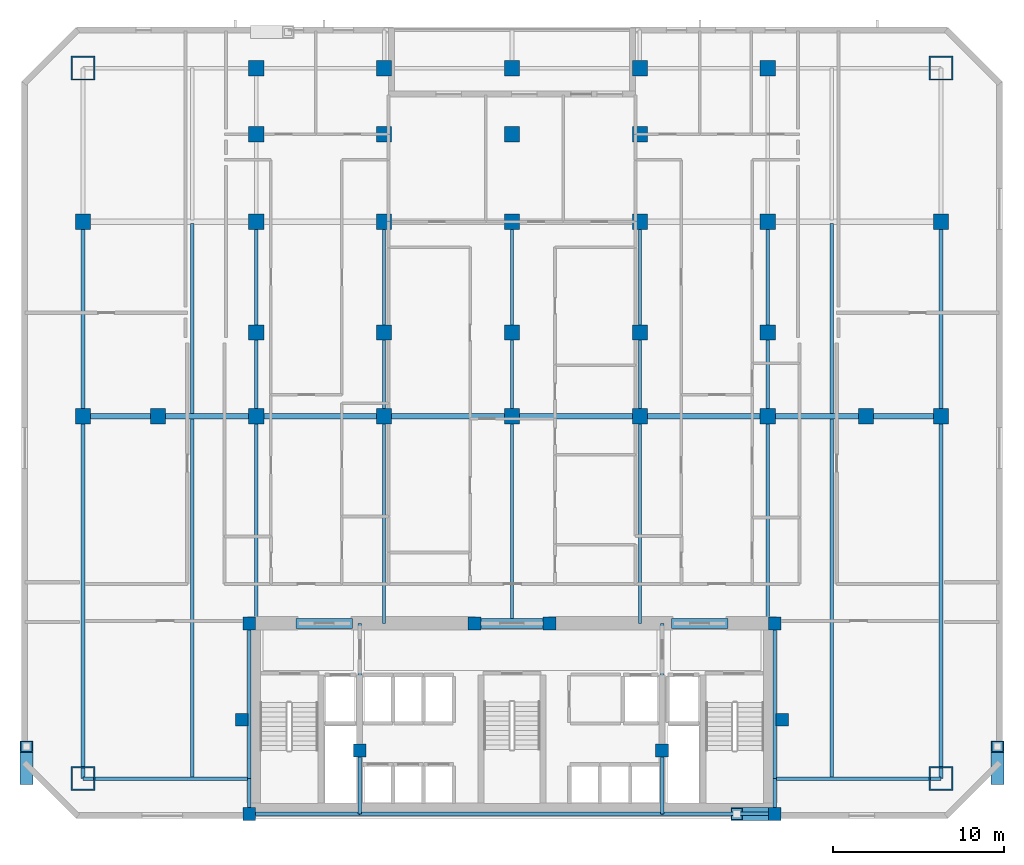
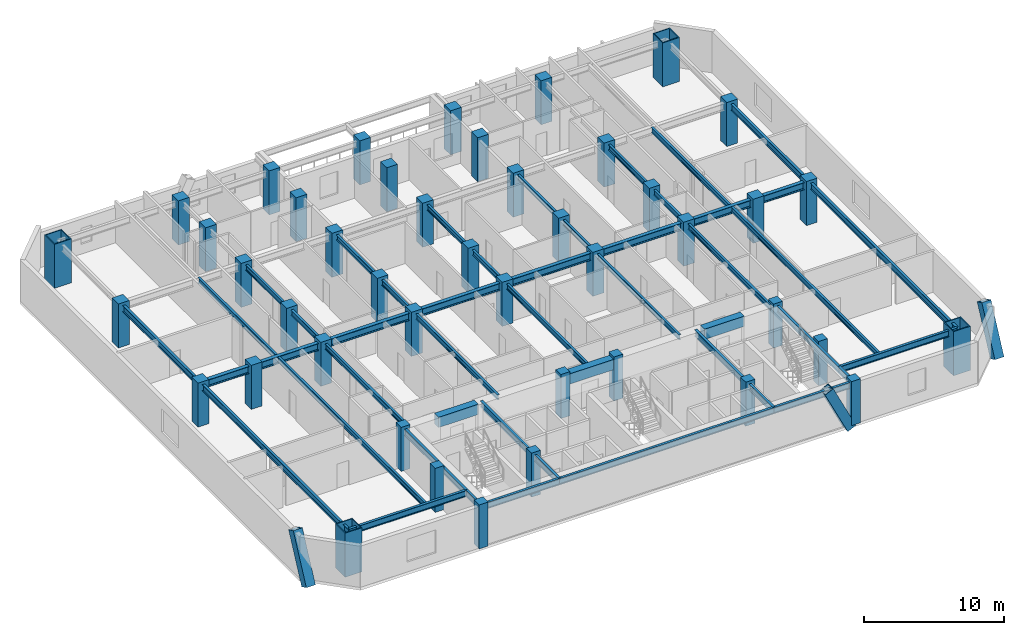
# One storey, part 1 of 10: 44 columns, 42 beams, 3 members.
"""IFC4 building model written with IfcOpenShell, lengths in metres."""

from ifc_helpers import new_model, si_unit, direction, frame, origin, origin_2d, place, context, subcontext, project, spatial, rectangle, hollow_rectangle, i_section, extrude, material, material_profile, profile_set, type_object, element, save


model = new_model("IFC4")

# Units and contexts
model_context = context("Model", 3, precision=1e-05, world=origin(), true_north=direction((0.0, 1.0)))
body_context = subcontext(model_context, "Body", "Model", "MODEL_VIEW")
ifc_project = project(units=[si_unit("LENGTHUNIT", "METRE"), si_unit("AREAUNIT", "SQUARE_METRE"), si_unit("VOLUMEUNIT", "CUBIC_METRE"), si_unit("PLANEANGLEUNIT", "RADIAN"), si_unit("MASSUNIT", "GRAM", prefix="KILO")], contexts=[model_context])

# Site, building, storey
site_placement = place(None, origin())
site = spatial("IfcSite", under=ifc_project, at=site_placement, CompositionType="ELEMENT")
building_placement = place(site_placement, origin())
building = spatial("IfcBuilding", under=site, at=building_placement, Name="Ventersveld Concourse Tower", CompositionType="ELEMENT")
storey_placement = place(building_placement, frame((0.0, 0.0, 60.60009765625)))
storey = spatial("IfcBuildingStorey", under=building, at=storey_placement, Name="L14", CompositionType="ELEMENT", Elevation=60.60009765625)

# Columns
ifc_material_1 = material(Name="Concrete C50/60", Category="concrete")
ifc_material_profile_1 = material_profile(ifc_material_1, rectangle(XDim=0.75, YDim=0.75, at=origin_2d()), Name="RC 750x750")
ifc_profile_set_1 = profile_set([ifc_material_profile_1], Name="Concrete C50/60")
column_type_1 = type_object("IfcColumnType", Name="COL-RC750", PredefinedType="COLUMN", material=ifc_profile_set_1)
for number, where, z_axis, x_axis, name in (
    (1, (13.35009765625, 0.280029296875, 0.0), (0.0, 0.0, 1.0), (1.0, 0.0, 0.0), "L14 Core Spine Column CC-SW"),
    (2, (44.14990234375, 0.280029296875, 0.0), (0.0, 0.0, 1.0), (1.0, 0.0, 0.0), "L14 Core Spine Column CC-SE"),
    (3, (13.35009765625, 11.449951171875, 0.0), (0.0, 0.0, 1.0), (1.0, 0.0, 0.0), "L14 Core Spine Column CC-NW"),
    (4, (44.14990234375, 11.449951171875, 0.0), (0.0, 0.0, 1.0), (1.0, 0.0, 0.0), "L14 Core Spine Column CC-NE"),
    (5, (19.820068359375, 4.0, 0.0), (0.0, 0.0, 1.0), (1.0, 0.0, 0.0), "L14 Core Spine Column CM-1"),
    (6, (37.550048828125, 4.0, 0.0), (0.0, 0.0, 1.0), (1.0, 0.0, 0.0), "L14 Core Spine Column CM-2"),
    (7, (26.550048828125, 11.449951171875, 0.0), (0.0, 0.0, 1.0), (1.0, 0.0, 0.0), "L14 Core Spine Column CM-3"),
    (8, (30.949951171875, 11.449951171875, 0.0), (0.0, 0.0, 1.0), (1.0, 0.0, 0.0), "L14 Core Spine Column CM-4"),
):
    element("IfcColumn", number, at=place(storey_placement, frame(where, z_axis=z_axis, x_axis=x_axis)), inside=storey, type_object=column_type_1, Name=name, PredefinedType="COLUMN", context=body_context, shape_type="SweptSolid", body=[
        extrude(rectangle(XDim=0.75, YDim=0.75, at=origin_2d()), origin(), (0.0, 0.0, 1.0), 3.849853515625),
    ])
ifc_material_2 = material(Name="Concrete C60/75", Category="concrete")
ifc_material_profile_2 = material_profile(ifc_material_2, rectangle(XDim=0.89990234375, YDim=0.89990234375, at=origin_2d()), Name="RC 900x900")
ifc_profile_set_2 = profile_set([ifc_material_profile_2], Name="Concrete C60/75")
column_type_2 = type_object("IfcColumnType", Name="COL-RC900", PredefinedType="COLUMN", material=ifc_profile_set_2)
for number, where, z_axis, x_axis, name in (
    (9, (3.60009765625, 23.60009765625, 0.0), (0.0, 0.0, 1.0), (1.0, 0.0, 0.0), "L14 Interior Gravity Column X=3.60 Y=23.60"),
    (10, (8.0, 23.60009765625, 0.0), (0.0, 0.0, 1.0), (1.0, 0.0, 0.0), "L14 Interior Gravity Column X=8.00 Y=23.60"),
    (11, (13.75, 23.60009765625, 0.0), (0.0, 0.0, 1.0), (1.0, 0.0, 0.0), "L14 Interior Gravity Column X=13.75 Y=23.60"),
    (12, (21.25, 23.60009765625, 0.0), (0.0, 0.0, 1.0), (1.0, 0.0, 0.0), "L14 Interior Gravity Column X=21.25 Y=23.60"),
    (13, (28.75, 23.60009765625, 0.0), (0.0, 0.0, 1.0), (1.0, 0.0, 0.0), "L14 Interior Gravity Column X=28.75 Y=23.60"),
    (14, (36.25, 23.60009765625, 0.0), (0.0, 0.0, 1.0), (1.0, 0.0, 0.0), "L14 Interior Gravity Column X=36.25 Y=23.60"),
    (15, (43.75, 23.60009765625, 0.0), (0.0, 0.0, 1.0), (1.0, 0.0, 0.0), "L14 Interior Gravity Column X=43.75 Y=23.60"),
    (16, (49.5, 23.60009765625, 0.0), (0.0, 0.0, 1.0), (1.0, 0.0, 0.0), "L14 Interior Gravity Column X=49.50 Y=23.60"),
    (17, (53.89990234375, 23.60009765625, 0.0), (0.0, 0.0, 1.0), (1.0, 0.0, 0.0), "L14 Interior Gravity Column X=53.90 Y=23.60"),
    (18, (13.75, 28.5, 0.0), (0.0, 0.0, 1.0), (1.0, 0.0, 0.0), "L14 Upper-North Gravity Column X=13.75 Y=28.50"),
    (19, (21.25, 28.5, 0.0), (0.0, 0.0, 1.0), (1.0, 0.0, 0.0), "L14 Upper-North Gravity Column X=21.25 Y=28.50"),
    (20, (28.75, 28.5, 0.0), (0.0, 0.0, 1.0), (1.0, 0.0, 0.0), "L14 Upper-North Gravity Column X=28.75 Y=28.50"),
    (21, (36.25, 28.5, 0.0), (0.0, 0.0, 1.0), (1.0, 0.0, 0.0), "L14 Upper-North Gravity Column X=36.25 Y=28.50"),
    (22, (43.75, 28.5, 0.0), (0.0, 0.0, 1.0), (1.0, 0.0, 0.0), "L14 Upper-North Gravity Column X=43.75 Y=28.50"),
    (23, (3.60009765625, 35.0, 0.0), (0.0, 0.0, 1.0), (1.0, 0.0, 0.0), "L14 Flank Column X=3.60 Y=35.00"),
    (24, (53.89990234375, 35.0, 0.0), (0.0, 0.0, 1.0), (1.0, 0.0, 0.0), "L14 Flank Column X=53.90 Y=35.00"),
    (25, (13.75, 44.0, 0.0), (0.0, 0.0, 1.0), (1.0, 0.0, 0.0), "L14 North Perimeter Column X=13.75 Y=44.00"),
    (26, (21.25, 44.0, 0.0), (0.0, 0.0, 1.0), (1.0, 0.0, 0.0), "L14 North Perimeter Column X=21.25 Y=44.00"),
    (27, (28.75, 44.0, 0.0), (0.0, 0.0, 1.0), (1.0, 0.0, 0.0), "L14 North Perimeter Column X=28.75 Y=44.00"),
    (28, (36.25, 44.0, 0.0), (0.0, 0.0, 1.0), (1.0, 0.0, 0.0), "L14 North Perimeter Column X=36.25 Y=44.00"),
    (29, (43.75, 44.0, 0.0), (0.0, 0.0, 1.0), (1.0, 0.0, 0.0), "L14 North Perimeter Column X=43.75 Y=44.00"),
    (30, (13.75, 40.1201171875, 0.0), (0.0, 0.0, 1.0), (1.0, 0.0, 0.0), "L14 North Brace Node Column X=13.75 Y=40.12"),
    (31, (21.25, 40.1201171875, 0.0), (0.0, 0.0, 1.0), (1.0, 0.0, 0.0), "L14 North Brace Node Column X=21.25 Y=40.12"),
    (32, (28.75, 40.1201171875, 0.0), (0.0, 0.0, 1.0), (1.0, 0.0, 0.0), "L14 North Brace Node Column X=28.75 Y=40.12"),
    (33, (36.25, 40.1201171875, 0.0), (0.0, 0.0, 1.0), (1.0, 0.0, 0.0), "L14 North Brace Node Column X=36.25 Y=40.12"),
    (34, (13.75, 35.0, 0.0), (0.0, 0.0, 1.0), (1.0, 0.0, 0.0), "L14 Mid-North Column X=13.75 Y=35.00"),
    (35, (21.25, 35.0, 0.0), (0.0, 0.0, 1.0), (1.0, 0.0, 0.0), "L14 Mid-North Column X=21.25 Y=35.00"),
    (36, (28.75, 35.0, 0.0), (0.0, 0.0, 1.0), (1.0, 0.0, 0.0), "L14 Mid-North Column X=28.75 Y=35.00"),
    (37, (36.25, 35.0, 0.0), (0.0, 0.0, 1.0), (1.0, 0.0, 0.0), "L14 Mid-North Column X=36.25 Y=35.00"),
    (38, (43.75, 35.0, 0.0), (0.0, 0.0, 1.0), (1.0, 0.0, 0.0), "L14 Mid-North Column X=43.75 Y=35.00"),
):
    element("IfcColumn", number, at=place(storey_placement, frame(where, z_axis=z_axis, x_axis=x_axis)), inside=storey, type_object=column_type_2, Name=name, PredefinedType="COLUMN", context=body_context, shape_type="SweptSolid", body=[
        extrude(rectangle(XDim=0.89990234375, YDim=0.89990234375, at=origin_2d()), origin(), (0.0, 0.0, 1.0), 3.849853515625),
    ])
ifc_material_3 = material(Name="Structural steel S460ML", Category="steel")
ifc_material_profile_3 = material_profile(ifc_material_3, hollow_rectangle(XDim=1.39990234375, YDim=1.39990234375, WallThickness=0.080078125, at=origin_2d()), Name="BOX 1400x1400x80")
ifc_profile_set_3 = profile_set([ifc_material_profile_3], Name="Structural steel S460ML")
column_type_3 = type_object("IfcColumnType", Name="MC-1400", PredefinedType="USERDEFINED", material=ifc_profile_set_3)
for number, where, z_axis, x_axis, name in (
    (39, (3.60009765625, 2.35009765625, 0.0), (0.0, 0.0, 1.0), (1.0, 0.0, 0.0), "L14 Corner Mega-Column MC-SW"),
    (40, (53.89990234375, 2.35009765625, 0.0), (0.0, 0.0, 1.0), (1.0, 0.0, 0.0), "L14 Corner Mega-Column MC-SE"),
    (41, (53.89990234375, 44.0, 0.0), (0.0, 0.0, 1.0), (1.0, 0.0, 0.0), "L14 Corner Mega-Column MC-NE"),
    (42, (3.60009765625, 44.0, 0.0), (0.0, 0.0, 1.0), (1.0, 0.0, 0.0), "L14 Corner Mega-Column MC-NW"),
):
    element("IfcColumn", number, at=place(storey_placement, frame(where, z_axis=z_axis, x_axis=x_axis)), inside=storey, type_object=column_type_3, Name=name, ObjectType="MEGA_COLUMN", PredefinedType="USERDEFINED", context=body_context, shape_type="SweptSolid", body=[
        extrude(hollow_rectangle(XDim=1.39990234375, YDim=1.39990234375, WallThickness=0.080078125, at=origin_2d()), origin(), (0.0, 0.0, 1.0), 3.849853515625),
    ])
ifc_material_profile_4 = material_profile(ifc_material_1, rectangle(XDim=0.75, YDim=0.75, at=origin_2d()), Name="RC 750x750")
ifc_profile_set_4 = profile_set([ifc_material_profile_4], Name="Concrete C50/60")
column_type_4 = type_object("IfcColumnType", Name="PIL-RC750", PredefinedType="PILASTER", material=ifc_profile_set_4)
for number, where, z_axis, x_axis, name in (
    (43, (12.89990234375, 5.800048828125, 0.0), (0.0, 0.0, 1.0), (1.0, 0.0, 0.0), "L14 Core Engaged Pilaster PIL-W"),
    (44, (44.60009765625, 5.800048828125, 0.0), (0.0, 0.0, 1.0), (1.0, 0.0, 0.0), "L14 Core Engaged Pilaster PIL-E"),
):
    element("IfcColumn", number, at=place(storey_placement, frame(where, z_axis=z_axis, x_axis=x_axis)), inside=storey, type_object=column_type_4, Name=name, PredefinedType="PILASTER", context=body_context, shape_type="SweptSolid", body=[
        extrude(rectangle(XDim=0.75, YDim=0.75, at=origin_2d()), origin(), (0.0, 0.0, 1.0), 3.849853515625),
    ])

# Beams
ifc_material_4 = material(Name="Structural steel S355J2", Category="steel")
ifc_material_profile_5 = material_profile(ifc_material_4, i_section(OverallWidth=0.19140625, OverallDepth=0.4599609375, WebThickness=0.010009765625, FlangeThickness=0.01611328125, FilletRadius=0.01025390625, at=origin_2d()), Name="UB 457x191x82")
ifc_profile_set_5 = profile_set([ifc_material_profile_5], Name="Structural steel S355J2")
beam_type_1 = type_object("IfcBeamType", Name="BM-UB457H", PredefinedType="BEAM", material=ifc_profile_set_5)
beam_1_placement = place(storey_placement, frame((10.0, 2.35009765625, 3.369873046875), z_axis=(0.0, 1.0, 0.0), x_axis=(-1.0, 0.0, 0.0)))
element("IfcBeam", 45, at=beam_1_placement, inside=storey, type_object=beam_type_1, Name="L14 N-S Composite Floor Beam South X=10.00", PredefinedType="BEAM", context=body_context, shape_type="SweptSolid", body=[
    extrude(i_section(OverallWidth=0.19140625, OverallDepth=0.4599609375, WebThickness=0.010009765625, FlangeThickness=0.01611328125, FilletRadius=0.01025390625, at=origin_2d()), origin(), (0.0, 0.0, 1.0), 21.15478515625),
])
beam_2_placement = place(storey_placement, frame((10.0, 23.695068359375, 3.369873046875), z_axis=(0.0, 1.0, 0.0), x_axis=(-1.0, 0.0, 0.0)))
element("IfcBeam", 46, at=beam_2_placement, inside=storey, type_object=beam_type_1, Name="L14 N-S Composite Floor Beam Mid X=10.00", PredefinedType="BEAM", context=body_context, shape_type="SweptSolid", body=[
    extrude(i_section(OverallWidth=0.19140625, OverallDepth=0.4599609375, WebThickness=0.010009765625, FlangeThickness=0.01611328125, FilletRadius=0.01025390625, at=origin_2d()), origin(), (0.0, 0.0, 1.0), 11.2099609375),
])
beam_3_placement = place(storey_placement, frame((13.75, 11.449951171875, 3.369873046875), z_axis=(0.0, 1.0, 0.0), x_axis=(-1.0, 0.0, 0.0)))
element("IfcBeam", 47, at=beam_3_placement, inside=storey, type_object=beam_type_1, Name="L14 N-S Composite Floor Beam South X=13.75", PredefinedType="BEAM", context=body_context, shape_type="SweptSolid", body=[
    extrude(i_section(OverallWidth=0.19140625, OverallDepth=0.4599609375, WebThickness=0.010009765625, FlangeThickness=0.01611328125, FilletRadius=0.01025390625, at=origin_2d()), origin(), (0.0, 0.0, 1.0), 12.150146484375),
])
beam_4_placement = place(storey_placement, frame((13.75, 23.60009765625, 3.369873046875), z_axis=(0.0, 1.0, 0.0), x_axis=(-1.0, 0.0, 0.0)))
element("IfcBeam", 48, at=beam_4_placement, inside=storey, type_object=beam_type_1, Name="L14 N-S Composite Floor Beam Mid X=13.75", PredefinedType="BEAM", context=body_context, shape_type="SweptSolid", body=[
    extrude(i_section(OverallWidth=0.19140625, OverallDepth=0.4599609375, WebThickness=0.010009765625, FlangeThickness=0.01611328125, FilletRadius=0.01025390625, at=origin_2d()), origin(), (0.0, 0.0, 1.0), 11.39990234375),
])
beam_5_placement = place(storey_placement, frame((21.25, 11.449951171875, 3.369873046875), z_axis=(0.0, 1.0, 0.0), x_axis=(-1.0, 0.0, 0.0)))
element("IfcBeam", 49, at=beam_5_placement, inside=storey, type_object=beam_type_1, Name="L14 N-S Composite Floor Beam South X=21.25", PredefinedType="BEAM", context=body_context, shape_type="SweptSolid", body=[
    extrude(i_section(OverallWidth=0.19140625, OverallDepth=0.4599609375, WebThickness=0.010009765625, FlangeThickness=0.01611328125, FilletRadius=0.01025390625, at=origin_2d()), origin(), (0.0, 0.0, 1.0), 12.150146484375),
])
beam_6_placement = place(storey_placement, frame((21.25, 23.60009765625, 3.369873046875), z_axis=(0.0, 1.0, 0.0), x_axis=(-1.0, 0.0, 0.0)))
element("IfcBeam", 50, at=beam_6_placement, inside=storey, type_object=beam_type_1, Name="L14 N-S Composite Floor Beam Mid X=21.25", PredefinedType="BEAM", context=body_context, shape_type="SweptSolid", body=[
    extrude(i_section(OverallWidth=0.19140625, OverallDepth=0.4599609375, WebThickness=0.010009765625, FlangeThickness=0.01611328125, FilletRadius=0.01025390625, at=origin_2d()), origin(), (0.0, 0.0, 1.0), 11.39990234375),
])
beam_7_placement = place(storey_placement, frame((28.75, 11.449951171875, 3.369873046875), z_axis=(0.0, 1.0, 0.0), x_axis=(-1.0, 0.0, 0.0)))
element("IfcBeam", 51, at=beam_7_placement, inside=storey, type_object=beam_type_1, Name="L14 N-S Composite Floor Beam South X=28.75", PredefinedType="BEAM", context=body_context, shape_type="SweptSolid", body=[
    extrude(i_section(OverallWidth=0.19140625, OverallDepth=0.4599609375, WebThickness=0.010009765625, FlangeThickness=0.01611328125, FilletRadius=0.01025390625, at=origin_2d()), origin(), (0.0, 0.0, 1.0), 12.150146484375),
])
beam_8_placement = place(storey_placement, frame((28.75, 23.60009765625, 3.369873046875), z_axis=(0.0, 1.0, 0.0), x_axis=(-1.0, 0.0, 0.0)))
element("IfcBeam", 52, at=beam_8_placement, inside=storey, type_object=beam_type_1, Name="L14 N-S Composite Floor Beam Mid X=28.75", PredefinedType="BEAM", context=body_context, shape_type="SweptSolid", body=[
    extrude(i_section(OverallWidth=0.19140625, OverallDepth=0.4599609375, WebThickness=0.010009765625, FlangeThickness=0.01611328125, FilletRadius=0.01025390625, at=origin_2d()), origin(), (0.0, 0.0, 1.0), 11.39990234375),
])
beam_9_placement = place(storey_placement, frame((36.25, 11.449951171875, 3.369873046875), z_axis=(0.0, 1.0, 0.0), x_axis=(-1.0, 0.0, 0.0)))
element("IfcBeam", 53, at=beam_9_placement, inside=storey, type_object=beam_type_1, Name="L14 N-S Composite Floor Beam South X=36.25", PredefinedType="BEAM", context=body_context, shape_type="SweptSolid", body=[
    extrude(i_section(OverallWidth=0.19140625, OverallDepth=0.4599609375, WebThickness=0.010009765625, FlangeThickness=0.01611328125, FilletRadius=0.01025390625, at=origin_2d()), origin(), (0.0, 0.0, 1.0), 12.150146484375),
])
beam_10_placement = place(storey_placement, frame((36.25, 23.60009765625, 3.369873046875), z_axis=(0.0, 1.0, 0.0), x_axis=(-1.0, 0.0, 0.0)))
element("IfcBeam", 54, at=beam_10_placement, inside=storey, type_object=beam_type_1, Name="L14 N-S Composite Floor Beam Mid X=36.25", PredefinedType="BEAM", context=body_context, shape_type="SweptSolid", body=[
    extrude(i_section(OverallWidth=0.19140625, OverallDepth=0.4599609375, WebThickness=0.010009765625, FlangeThickness=0.01611328125, FilletRadius=0.01025390625, at=origin_2d()), origin(), (0.0, 0.0, 1.0), 11.39990234375),
])
beam_11_placement = place(storey_placement, frame((43.75, 11.449951171875, 3.369873046875), z_axis=(0.0, 1.0, 0.0), x_axis=(-1.0, 0.0, 0.0)))
element("IfcBeam", 55, at=beam_11_placement, inside=storey, type_object=beam_type_1, Name="L14 N-S Composite Floor Beam South X=43.75", PredefinedType="BEAM", context=body_context, shape_type="SweptSolid", body=[
    extrude(i_section(OverallWidth=0.19140625, OverallDepth=0.4599609375, WebThickness=0.010009765625, FlangeThickness=0.01611328125, FilletRadius=0.01025390625, at=origin_2d()), origin(), (0.0, 0.0, 1.0), 12.150146484375),
])
beam_12_placement = place(storey_placement, frame((43.75, 23.60009765625, 3.369873046875), z_axis=(0.0, 1.0, 0.0), x_axis=(-1.0, 0.0, 0.0)))
element("IfcBeam", 56, at=beam_12_placement, inside=storey, type_object=beam_type_1, Name="L14 N-S Composite Floor Beam Mid X=43.75", PredefinedType="BEAM", context=body_context, shape_type="SweptSolid", body=[
    extrude(i_section(OverallWidth=0.19140625, OverallDepth=0.4599609375, WebThickness=0.010009765625, FlangeThickness=0.01611328125, FilletRadius=0.01025390625, at=origin_2d()), origin(), (0.0, 0.0, 1.0), 11.39990234375),
])
beam_13_placement = place(storey_placement, frame((47.5, 2.35009765625, 3.369873046875), z_axis=(0.0, 1.0, 0.0), x_axis=(-1.0, 0.0, 0.0)))
element("IfcBeam", 57, at=beam_13_placement, inside=storey, type_object=beam_type_1, Name="L14 N-S Composite Floor Beam South X=47.50", PredefinedType="BEAM", context=body_context, shape_type="SweptSolid", body=[
    extrude(i_section(OverallWidth=0.19140625, OverallDepth=0.4599609375, WebThickness=0.010009765625, FlangeThickness=0.01611328125, FilletRadius=0.01025390625, at=origin_2d()), origin(), (0.0, 0.0, 1.0), 21.15478515625),
])
beam_14_placement = place(storey_placement, frame((47.5, 23.695068359375, 3.369873046875), z_axis=(0.0, 1.0, 0.0), x_axis=(-1.0, 0.0, 0.0)))
element("IfcBeam", 58, at=beam_14_placement, inside=storey, type_object=beam_type_1, Name="L14 N-S Composite Floor Beam Mid X=47.50", PredefinedType="BEAM", context=body_context, shape_type="SweptSolid", body=[
    extrude(i_section(OverallWidth=0.19140625, OverallDepth=0.4599609375, WebThickness=0.010009765625, FlangeThickness=0.01611328125, FilletRadius=0.01025390625, at=origin_2d()), origin(), (0.0, 0.0, 1.0), 11.2099609375),
])
ifc_material_profile_6 = material_profile(ifc_material_2, rectangle(XDim=0.60009765625, YDim=0.89990234375, at=origin_2d()), Name="RC 600x900")
ifc_profile_set_6 = profile_set([ifc_material_profile_6], Name="Concrete C60/75")
beam_type_2 = type_object("IfcBeamType", Name="CB-RC600x900L", PredefinedType="LINTEL", material=ifc_profile_set_6)
beam_15_placement = place(storey_placement, frame((16.10009765625, 11.449951171875, 3.14990234375), z_axis=(1.0, 0.0, 0.0), x_axis=(0.0, 1.0, 0.0)))
element("IfcBeam", 59, at=beam_15_placement, inside=storey, type_object=beam_type_2, Name="L14 Core Coupling Lintel Beam 1", PredefinedType="LINTEL", context=body_context, shape_type="SweptSolid", body=[
    extrude(rectangle(XDim=0.60009765625, YDim=0.89990234375, at=origin_2d()), origin(), (0.0, 0.0, 1.0), 3.2998046875),
])
beam_16_placement = place(storey_placement, frame((26.5, 11.449951171875, 3.14990234375), z_axis=(1.0, 0.0, 0.0), x_axis=(0.0, 1.0, 0.0)))
element("IfcBeam", 60, at=beam_16_placement, inside=storey, type_object=beam_type_2, Name="L14 Core Coupling Lintel Beam 2", PredefinedType="LINTEL", context=body_context, shape_type="SweptSolid", body=[
    extrude(rectangle(XDim=0.60009765625, YDim=0.89990234375, at=origin_2d()), origin(), (0.0, 0.0, 1.0), 4.5),
])
beam_17_placement = place(storey_placement, frame((38.10009765625, 11.449951171875, 3.14990234375), z_axis=(1.0, 0.0, 0.0), x_axis=(0.0, 1.0, 0.0)))
element("IfcBeam", 61, at=beam_17_placement, inside=storey, type_object=beam_type_2, Name="L14 Core Coupling Lintel Beam 3", PredefinedType="LINTEL", context=body_context, shape_type="SweptSolid", body=[
    extrude(rectangle(XDim=0.60009765625, YDim=0.89990234375, at=origin_2d()), origin(), (0.0, 0.0, 1.0), 3.2998046875),
])
ifc_material_profile_7 = material_profile(ifc_material_4, i_section(OverallWidth=0.2119140625, OverallDepth=0.54443359375, WebThickness=0.0126953125, FlangeThickness=0.021240234375, FilletRadius=0.0126953125, at=origin_2d()), Name="UB 533x210x122")
ifc_profile_set_7 = profile_set([ifc_material_profile_7], Name="Structural steel S355J2")
beam_type_3 = type_object("IfcBeamType", Name="GRD-UB533H", PredefinedType="T_BEAM", material=ifc_profile_set_7)
beam_18_placement = place(storey_placement, frame((13.35009765625, 0.280029296875, 3.32763671875), z_axis=(0.0, 1.0, 0.0), x_axis=(-1.0, 0.0, 0.0)))
element("IfcBeam", 62, at=beam_18_placement, inside=storey, type_object=beam_type_3, Name="L14 Core West Tie Beam S", PredefinedType="T_BEAM", context=body_context, shape_type="SweptSolid", body=[
    extrude(i_section(OverallWidth=0.2119140625, OverallDepth=0.54443359375, WebThickness=0.0126953125, FlangeThickness=0.021240234375, FilletRadius=0.0126953125, at=origin_2d()), origin(), (0.0, 0.0, 1.0), 2.070068359375),
])
beam_19_placement = place(storey_placement, frame((13.35009765625, 2.35009765625, 3.32763671875), z_axis=(0.0, 1.0, 0.0), x_axis=(-1.0, 0.0, 0.0)))
element("IfcBeam", 63, at=beam_19_placement, inside=storey, type_object=beam_type_3, Name="L14 Core West Tie Beam N", PredefinedType="T_BEAM", context=body_context, shape_type="SweptSolid", body=[
    extrude(i_section(OverallWidth=0.2119140625, OverallDepth=0.54443359375, WebThickness=0.0126953125, FlangeThickness=0.021240234375, FilletRadius=0.0126953125, at=origin_2d()), origin(), (0.0, 0.0, 1.0), 9.099853515625),
])
beam_20_placement = place(storey_placement, frame((44.14990234375, 0.280029296875, 3.32763671875), z_axis=(0.0, 1.0, 0.0), x_axis=(-1.0, 0.0, 0.0)))
element("IfcBeam", 64, at=beam_20_placement, inside=storey, type_object=beam_type_3, Name="L14 Core East Tie Beam S", PredefinedType="T_BEAM", context=body_context, shape_type="SweptSolid", body=[
    extrude(i_section(OverallWidth=0.2119140625, OverallDepth=0.54443359375, WebThickness=0.0126953125, FlangeThickness=0.021240234375, FilletRadius=0.0126953125, at=origin_2d()), origin(), (0.0, 0.0, 1.0), 2.070068359375),
])
beam_21_placement = place(storey_placement, frame((44.14990234375, 2.35009765625, 3.32763671875), z_axis=(0.0, 1.0, 0.0), x_axis=(-1.0, 0.0, 0.0)))
element("IfcBeam", 65, at=beam_21_placement, inside=storey, type_object=beam_type_3, Name="L14 Core East Tie Beam N", PredefinedType="T_BEAM", context=body_context, shape_type="SweptSolid", body=[
    extrude(i_section(OverallWidth=0.2119140625, OverallDepth=0.54443359375, WebThickness=0.0126953125, FlangeThickness=0.021240234375, FilletRadius=0.0126953125, at=origin_2d()), origin(), (0.0, 0.0, 1.0), 9.099853515625),
])
beam_22_placement = place(storey_placement, frame((13.35009765625, 0.280029296875, 3.32763671875), z_axis=(1.0, 0.0, 0.0), x_axis=(0.0, 1.0, 0.0)))
element("IfcBeam", 66, at=beam_22_placement, inside=storey, type_object=beam_type_3, Name="L14 Core South Tie Beam W", PredefinedType="T_BEAM", context=body_context, shape_type="SweptSolid", body=[
    extrude(i_section(OverallWidth=0.2119140625, OverallDepth=0.54443359375, WebThickness=0.0126953125, FlangeThickness=0.021240234375, FilletRadius=0.0126953125, at=origin_2d()), origin(), (0.0, 0.0, 1.0), 6.469970703125),
])
beam_23_placement = place(storey_placement, frame((19.820068359375, 0.280029296875, 3.32763671875), z_axis=(1.0, 0.0, 0.0), x_axis=(0.0, 1.0, 0.0)))
element("IfcBeam", 67, at=beam_23_placement, inside=storey, type_object=beam_type_3, Name="L14 Core South Tie Beam C", PredefinedType="T_BEAM", context=body_context, shape_type="SweptSolid", body=[
    extrude(i_section(OverallWidth=0.2119140625, OverallDepth=0.54443359375, WebThickness=0.0126953125, FlangeThickness=0.021240234375, FilletRadius=0.0126953125, at=origin_2d()), origin(), (0.0, 0.0, 1.0), 17.72998046875),
])
beam_24_placement = place(storey_placement, frame((37.550048828125, 0.280029296875, 3.32763671875), z_axis=(1.0, 0.0, 0.0), x_axis=(0.0, 1.0, 0.0)))
element("IfcBeam", 68, at=beam_24_placement, inside=storey, type_object=beam_type_3, Name="L14 Core South Tie Beam E", PredefinedType="T_BEAM", context=body_context, shape_type="SweptSolid", body=[
    extrude(i_section(OverallWidth=0.2119140625, OverallDepth=0.54443359375, WebThickness=0.0126953125, FlangeThickness=0.021240234375, FilletRadius=0.0126953125, at=origin_2d()), origin(), (0.0, 0.0, 1.0), 6.599853515625),
])
beam_25_placement = place(storey_placement, frame((19.820068359375, 0.280029296875, 3.32763671875), z_axis=(0.0, 1.0, 0.0), x_axis=(-1.0, 0.0, 0.0)))
element("IfcBeam", 69, at=beam_25_placement, inside=storey, type_object=beam_type_3, Name="L14 Core Spine N-S Tie Beam W1", PredefinedType="T_BEAM", context=body_context, shape_type="SweptSolid", body=[
    extrude(i_section(OverallWidth=0.2119140625, OverallDepth=0.54443359375, WebThickness=0.0126953125, FlangeThickness=0.021240234375, FilletRadius=0.0126953125, at=origin_2d()), origin(), (0.0, 0.0, 1.0), 3.719970703125),
])
beam_26_placement = place(storey_placement, frame((19.820068359375, 4.0, 3.32763671875), z_axis=(0.0, 1.0, 0.0), x_axis=(-1.0, 0.0, 0.0)))
element("IfcBeam", 70, at=beam_26_placement, inside=storey, type_object=beam_type_3, Name="L14 Core Spine N-S Tie Beam W2", PredefinedType="T_BEAM", context=body_context, shape_type="SweptSolid", body=[
    extrude(i_section(OverallWidth=0.2119140625, OverallDepth=0.54443359375, WebThickness=0.0126953125, FlangeThickness=0.021240234375, FilletRadius=0.0126953125, at=origin_2d()), origin(), (0.0, 0.0, 1.0), 7.449951171875),
])
beam_27_placement = place(storey_placement, frame((37.550048828125, 0.280029296875, 3.32763671875), z_axis=(0.0, 1.0, 0.0), x_axis=(-1.0, 0.0, 0.0)))
element("IfcBeam", 71, at=beam_27_placement, inside=storey, type_object=beam_type_3, Name="L14 Core Spine N-S Tie Beam E1", PredefinedType="T_BEAM", context=body_context, shape_type="SweptSolid", body=[
    extrude(i_section(OverallWidth=0.2119140625, OverallDepth=0.54443359375, WebThickness=0.0126953125, FlangeThickness=0.021240234375, FilletRadius=0.0126953125, at=origin_2d()), origin(), (0.0, 0.0, 1.0), 3.719970703125),
])
beam_28_placement = place(storey_placement, frame((37.550048828125, 4.0, 3.32763671875), z_axis=(0.0, 1.0, 0.0), x_axis=(-1.0, 0.0, 0.0)))
element("IfcBeam", 72, at=beam_28_placement, inside=storey, type_object=beam_type_3, Name="L14 Core Spine N-S Tie Beam E2", PredefinedType="T_BEAM", context=body_context, shape_type="SweptSolid", body=[
    extrude(i_section(OverallWidth=0.2119140625, OverallDepth=0.54443359375, WebThickness=0.0126953125, FlangeThickness=0.021240234375, FilletRadius=0.0126953125, at=origin_2d()), origin(), (0.0, 0.0, 1.0), 7.449951171875),
])
ifc_material_profile_8 = material_profile(ifc_material_4, i_section(OverallWidth=0.311279296875, OverallDepth=0.6357421875, WebThickness=0.018310546875, FlangeThickness=0.031494140625, FilletRadius=0.0166015625, at=origin_2d()), Name="UB 610x305x238")
ifc_profile_set_8 = profile_set([ifc_material_profile_8], Name="Structural steel S355J2")
beam_type_4 = type_object("IfcBeamType", Name="GRD-UB610H", PredefinedType="USERDEFINED", material=ifc_profile_set_8)
beam_29_placement = place(storey_placement, frame((3.60009765625, 23.60009765625, 3.281982421875), z_axis=(1.0, 0.0, 0.0), x_axis=(0.0, 1.0, 0.0)))
element("IfcBeam", 73, at=beam_29_placement, inside=storey, type_object=beam_type_4, Name="L14 Primary E-W Grid Girder Y=23.60 #1", ObjectType="GIRDER", PredefinedType="USERDEFINED", context=body_context, shape_type="SweptSolid", body=[
    extrude(i_section(OverallWidth=0.311279296875, OverallDepth=0.6357421875, WebThickness=0.018310546875, FlangeThickness=0.031494140625, FilletRadius=0.0166015625, at=origin_2d()), origin(), (0.0, 0.0, 1.0), 4.39990234375),
])
beam_30_placement = place(storey_placement, frame((8.0, 23.60009765625, 3.281982421875), z_axis=(1.0, 0.0, 0.0), x_axis=(0.0, 1.0, 0.0)))
element("IfcBeam", 74, at=beam_30_placement, inside=storey, type_object=beam_type_4, Name="L14 Primary E-W Grid Girder Y=23.60 #2", ObjectType="GIRDER", PredefinedType="USERDEFINED", context=body_context, shape_type="SweptSolid", body=[
    extrude(i_section(OverallWidth=0.311279296875, OverallDepth=0.6357421875, WebThickness=0.018310546875, FlangeThickness=0.031494140625, FilletRadius=0.0166015625, at=origin_2d()), origin(), (0.0, 0.0, 1.0), 5.75),
])
for number, where, z_axis, x_axis, name in (
    (75, (13.75, 23.60009765625, 3.281982421875), (1.0, 0.0, 0.0), (0.0, 1.0, 0.0), "L14 Primary E-W Grid Girder Y=23.60 #3"),
    (76, (21.25, 23.60009765625, 3.281982421875), (1.0, 0.0, 0.0), (0.0, 1.0, 0.0), "L14 Primary E-W Grid Girder Y=23.60 #4"),
    (77, (28.75, 23.60009765625, 3.281982421875), (1.0, 0.0, 0.0), (0.0, 1.0, 0.0), "L14 Primary E-W Grid Girder Y=23.60 #5"),
    (78, (36.25, 23.60009765625, 3.281982421875), (1.0, 0.0, 0.0), (0.0, 1.0, 0.0), "L14 Primary E-W Grid Girder Y=23.60 #6"),
):
    element("IfcBeam", number, at=place(storey_placement, frame(where, z_axis=z_axis, x_axis=x_axis)), inside=storey, type_object=beam_type_4, Name=name, ObjectType="GIRDER", PredefinedType="USERDEFINED", context=body_context, shape_type="SweptSolid", body=[
        extrude(i_section(OverallWidth=0.311279296875, OverallDepth=0.6357421875, WebThickness=0.018310546875, FlangeThickness=0.031494140625, FilletRadius=0.0166015625, at=origin_2d()), origin(), (0.0, 0.0, 1.0), 7.5),
    ])
beam_31_placement = place(storey_placement, frame((43.75, 23.60009765625, 3.281982421875), z_axis=(1.0, 0.0, 0.0), x_axis=(0.0, 1.0, 0.0)))
element("IfcBeam", 79, at=beam_31_placement, inside=storey, type_object=beam_type_4, Name="L14 Primary E-W Grid Girder Y=23.60 #7", ObjectType="GIRDER", PredefinedType="USERDEFINED", context=body_context, shape_type="SweptSolid", body=[
    extrude(i_section(OverallWidth=0.311279296875, OverallDepth=0.6357421875, WebThickness=0.018310546875, FlangeThickness=0.031494140625, FilletRadius=0.0166015625, at=origin_2d()), origin(), (0.0, 0.0, 1.0), 5.75),
])
beam_32_placement = place(storey_placement, frame((49.5, 23.60009765625, 3.281982421875), z_axis=(1.0, 0.0, 0.0), x_axis=(0.0, 1.0, 0.0)))
element("IfcBeam", 80, at=beam_32_placement, inside=storey, type_object=beam_type_4, Name="L14 Primary E-W Grid Girder Y=23.60 #8", ObjectType="GIRDER", PredefinedType="USERDEFINED", context=body_context, shape_type="SweptSolid", body=[
    extrude(i_section(OverallWidth=0.311279296875, OverallDepth=0.6357421875, WebThickness=0.018310546875, FlangeThickness=0.031494140625, FilletRadius=0.0166015625, at=origin_2d()), origin(), (0.0, 0.0, 1.0), 4.39990234375),
])

# Members
ifc_material_5 = material(Name="Structural steel S355ML", Category="steel")
ifc_material_profile_9 = material_profile(ifc_material_5, hollow_rectangle(XDim=0.75, YDim=0.75, WallThickness=0.044921875, at=origin_2d()), Name="BOX 750x750x45")
ifc_profile_set_9 = profile_set([ifc_material_profile_9], Name="Structural steel S355ML")
member_type = type_object("IfcMemberType", Name="MB-750x750", PredefinedType="BRACE", material=ifc_profile_set_9)
for number, where, z_axis, x_axis, name in (
    (81, (43.800048828125, 0.280029296875, -0.25), (-0.437861906815, 0.0, 0.899042240699), (0.0, -1.0, 0.0), "L14 Exterior Mega-Brace S (Module M03)"),
    (82, (0.280029296875, 2.35009765625, -0.25), (0.0, 0.437861906815, 0.899042240699), (-1.0, 0.0, 0.0), "L14 Exterior Mega-Brace W (Module M03)"),
    (83, (57.219970703125, 2.35009765625, -0.25), (0.0, 0.437861906815, 0.899042240699), (-1.0, 0.0, 0.0), "L14 Exterior Mega-Brace E (Module M03)"),
):
    element("IfcMember", number, at=place(storey_placement, frame(where, z_axis=z_axis, x_axis=x_axis)), inside=storey, type_object=member_type, Name=name, PredefinedType="BRACE", context=body_context, shape_type="SweptSolid", body=[
        extrude(hollow_rectangle(XDim=0.75, YDim=0.75, WallThickness=0.044921875, at=origin_2d()), origin(), (0.0, 0.0, 1.0), 4.2822265625),
    ])

# Beams
ifc_material_profile_10 = material_profile(ifc_material_4, i_section(OverallWidth=0.2119140625, OverallDepth=0.54443359375, WebThickness=0.0126953125, FlangeThickness=0.021240234375, FilletRadius=0.0126953125, at=origin_2d()), Name="UB 533x210x122")
ifc_profile_set_10 = profile_set([ifc_material_profile_10], Name="Structural steel S355J2")
beam_type_5 = type_object("IfcBeamType", Name="SPD-UB533", PredefinedType="SPANDREL", material=ifc_profile_set_10)
for number, where, z_axis, x_axis, name in (
    (84, (3.60009765625, 2.35009765625, 3.32763671875), (1.0, 0.0, 0.0), (0.0, 1.0, 0.0), "L14 SW Spandrel Beam"),
    (85, (44.14990234375, 2.35009765625, 3.32763671875), (1.0, 0.0, 0.0), (0.0, 1.0, 0.0), "L14 SE Spandrel Beam"),
):
    element("IfcBeam", number, at=place(storey_placement, frame(where, z_axis=z_axis, x_axis=x_axis)), inside=storey, type_object=beam_type_5, Name=name, PredefinedType="SPANDREL", context=body_context, shape_type="SweptSolid", body=[
        extrude(i_section(OverallWidth=0.2119140625, OverallDepth=0.54443359375, WebThickness=0.0126953125, FlangeThickness=0.021240234375, FilletRadius=0.0126953125, at=origin_2d()), origin(), (0.0, 0.0, 1.0), 9.75),
    ])
beam_33_placement = place(storey_placement, frame((3.60009765625, 2.35009765625, 3.32763671875), z_axis=(0.0, 1.0, 0.0), x_axis=(-1.0, 0.0, 0.0)))
element("IfcBeam", 86, at=beam_33_placement, inside=storey, type_object=beam_type_5, Name="L14 West Spandrel Beam S", PredefinedType="SPANDREL", context=body_context, shape_type="SweptSolid", body=[
    extrude(i_section(OverallWidth=0.2119140625, OverallDepth=0.54443359375, WebThickness=0.0126953125, FlangeThickness=0.021240234375, FilletRadius=0.0126953125, at=origin_2d()), origin(), (0.0, 0.0, 1.0), 21.25),
])
beam_34_placement = place(storey_placement, frame((3.60009765625, 23.60009765625, 3.32763671875), z_axis=(0.0, 1.0, 0.0), x_axis=(-1.0, 0.0, 0.0)))
element("IfcBeam", 87, at=beam_34_placement, inside=storey, type_object=beam_type_5, Name="L14 West Spandrel Beam M", PredefinedType="SPANDREL", context=body_context, shape_type="SweptSolid", body=[
    extrude(i_section(OverallWidth=0.2119140625, OverallDepth=0.54443359375, WebThickness=0.0126953125, FlangeThickness=0.021240234375, FilletRadius=0.0126953125, at=origin_2d()), origin(), (0.0, 0.0, 1.0), 11.39990234375),
])
beam_35_placement = place(storey_placement, frame((53.89990234375, 2.35009765625, 3.32763671875), z_axis=(0.0, 1.0, 0.0), x_axis=(-1.0, 0.0, 0.0)))
element("IfcBeam", 88, at=beam_35_placement, inside=storey, type_object=beam_type_5, Name="L14 East Spandrel Beam S", PredefinedType="SPANDREL", context=body_context, shape_type="SweptSolid", body=[
    extrude(i_section(OverallWidth=0.2119140625, OverallDepth=0.54443359375, WebThickness=0.0126953125, FlangeThickness=0.021240234375, FilletRadius=0.0126953125, at=origin_2d()), origin(), (0.0, 0.0, 1.0), 21.25),
])
beam_36_placement = place(storey_placement, frame((53.89990234375, 23.60009765625, 3.32763671875), z_axis=(0.0, 1.0, 0.0), x_axis=(-1.0, 0.0, 0.0)))
element("IfcBeam", 89, at=beam_36_placement, inside=storey, type_object=beam_type_5, Name="L14 East Spandrel Beam M", PredefinedType="SPANDREL", context=body_context, shape_type="SweptSolid", body=[
    extrude(i_section(OverallWidth=0.2119140625, OverallDepth=0.54443359375, WebThickness=0.0126953125, FlangeThickness=0.021240234375, FilletRadius=0.0126953125, at=origin_2d()), origin(), (0.0, 0.0, 1.0), 11.39990234375),
])

save(model, "model.ifc")
